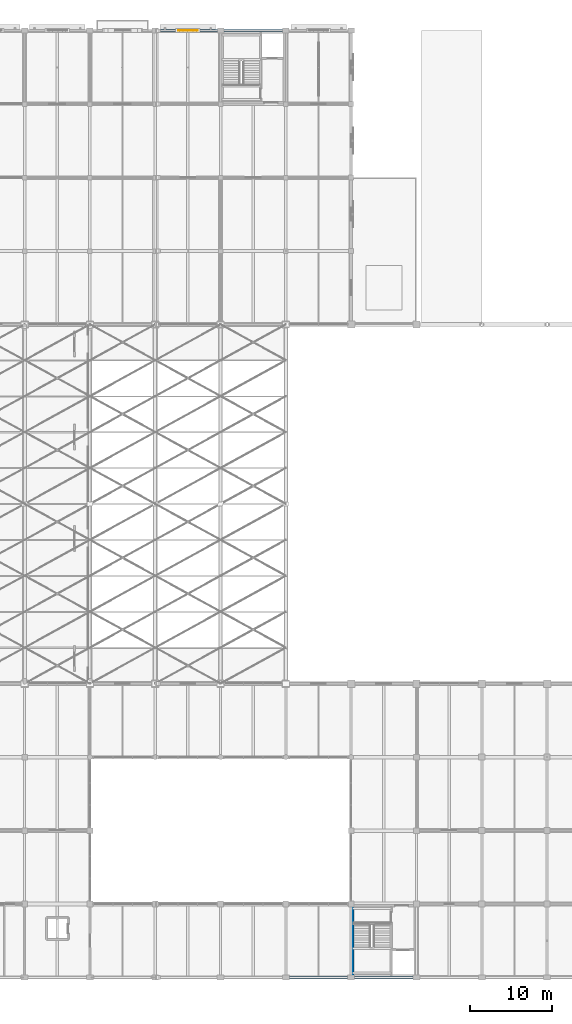
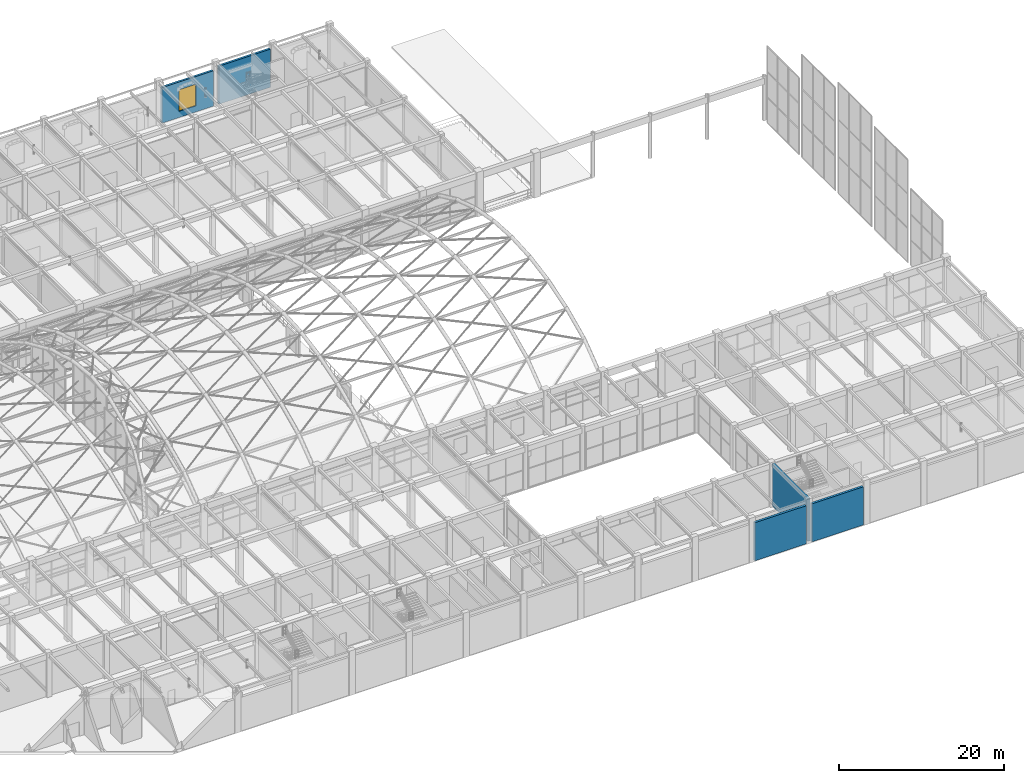
# One storey, part 133 of 163: 5 walls, 1 window, 1 opening.
"""IFC4 building model written with IfcOpenShell, lengths in metres."""

from ifc_helpers import new_model, si_unit, direction, frame, frame_2d, origin, place, context, subcontext, project, spatial, rectangle, extrude, material, layer, layer_set, type_object, element, fill, save


model = new_model("IFC4")

# Units and contexts
model_context = context("Model", 3, precision=1e-05, world=origin(), true_north=direction((0.0, 1.0)))
body_context = subcontext(model_context, "Body", "Model", "MODEL_VIEW")
ifc_project = project(units=[si_unit("LENGTHUNIT", "METRE"), si_unit("AREAUNIT", "SQUARE_METRE"), si_unit("VOLUMEUNIT", "CUBIC_METRE"), si_unit("PLANEANGLEUNIT", "RADIAN"), si_unit("MASSUNIT", "GRAM", prefix="KILO")], contexts=[model_context])

# Site, building, storey
site_placement = place(None, origin())
site = spatial("IfcSite", under=ifc_project, at=site_placement, CompositionType="ELEMENT")
building_placement = place(site_placement, origin())
building = spatial("IfcBuilding", under=site, at=building_placement, Name="Varnabhumi Central Station", CompositionType="ELEMENT")
storey_placement = place(building_placement, frame((0.0, 0.0, 9.60009765625)))
storey = spatial("IfcBuildingStorey", under=building, at=storey_placement, Name="L02", CompositionType="ELEMENT", Elevation=9.60009765625)

# Wall
ifc_material_1 = material(Name="Concrete M40", Category="concrete")
ifc_layer_1 = layer(ifc_material_1, 0.300048828125, Name="Concrete M40", Category="concrete")
ifc_layer_set_1 = layer_set([ifc_layer_1], Name="Concrete M40")
wall_type_1 = type_object("IfcWallType", Name="WAL-CORE-RC-300", PredefinedType="SHEAR", material=ifc_layer_set_1)
wall_1_placement = place(storey_placement, frame((144.179931640625, 0.179931640625, 0.0), z_axis=(0.0, 0.0, 1.0), x_axis=(0.0, 1.0, 0.0)))
element("IfcWall", 1, at=wall_1_placement, inside=storey, type_object=wall_type_1, Name="SC3 L02 West Shear Wall", PredefinedType="SHEAR", context=body_context, shape_type="SweptSolid", body=[
    extrude(rectangle(XDim=8.64013671875, YDim=0.300048828125, at=frame_2d((4.320068359375, 0.0))), origin(), (0.0, 0.0, 1.0), 6.31982421875),
])

# Wall, opening, window
ifc_material_2 = material(Name="Autoclaved aerated blockwork masonry", Category="masonry")
ifc_layer_2 = layer(ifc_material_2, 0.300048828125, Name="Autoclaved aerated blockwork masonry", Category="masonry")
ifc_layer_set_2 = layer_set([ifc_layer_2], Name="Autoclaved aerated blockwork masonry")
wall_type_2 = type_object("IfcWallType", Name="WAL-EXT-STUCCO-300", PredefinedType="SOLIDWALL", material=ifc_layer_set_2)
wall_2_placement = place(storey_placement, frame((120.39990234375, 116.0, 0.0), z_axis=(0.0, 0.0, 1.0), x_axis=(1.0, 0.0, 0.0)))
wall_2 = element("IfcWall", 2, at=wall_2_placement, inside=storey, type_object=wall_type_2, Name="North Boulevard Wall L02-13", PredefinedType="SOLIDWALL", context=body_context, shape_type="SweptSolid", body=[
    extrude(rectangle(XDim=7.2001953125, YDim=0.300048828125, at=frame_2d((3.60009765625, 0.0))), origin(), (0.0, 0.0, 1.0), 5.239990234375),
])
opening_placement = place(wall_2_placement, frame((2.39990234375, 0.0, 0.89990234375)))
opening = element("IfcOpeningElement", 3, at=opening_placement, cuts=wall_2, Name="Opening W-05", PredefinedType="OPENING", context=body_context, shape_type="SweptSolid", body=[
    extrude(rectangle(XDim=2.39990234375, YDim=3.199951171875, at=frame_2d((1.199951171875, 1.60009765625))), frame((0.0, 0.159912109375, 0.0), z_axis=(0.0, -1.0, 0.0), x_axis=(1.0, 0.0, 0.0)), (0.0, 0.0, 1.0), 0.320068359375),
])
ifc_material_3 = material(Name="Laminated low-E double glazing", Category="glass")
window_type = type_object("IfcWindowType", Name="WIN-TALL-2400x3200", PartitioningType="TRIPLE_PANEL_HORIZONTAL", PredefinedType="WINDOW", material=ifc_material_3)
window_placement = place(opening_placement, origin())
window = element("IfcWindow", 4, at=window_placement, inside=storey, type_object=window_type, Name="North Facade Window L02-13", OverallHeight=3.199951171875, OverallWidth=2.39990234375, PartitioningType="SINGLE_PANEL", PredefinedType="WINDOW", context=body_context, shape_type="SweptSolid", body=[
    extrude(rectangle(XDim=2.39990234375, YDim=3.199951171875, at=frame_2d((1.199951171875, 1.60009765625))), frame((0.0, 0.030029296875, 0.0), z_axis=(0.0, -1.0, 0.0), x_axis=(1.0, 0.0, 0.0)), (0.0, 0.0, 1.0), 0.06005859375),
])
fill(opening, window)

# Walls
wall_3_placement = place(storey_placement, frame((128.39990234375, 116.0, 0.0), z_axis=(0.0, 0.0, 1.0), x_axis=(1.0, 0.0, 0.0)))
element("IfcWall", 5, at=wall_3_placement, inside=storey, type_object=wall_type_2, Name="North Boulevard Wall L02-14", PredefinedType="SOLIDWALL", context=body_context, shape_type="SweptSolid", body=[
    extrude(rectangle(XDim=7.2001953125, YDim=0.300048828125, at=frame_2d((3.60009765625, 0.0))), origin(), (0.0, 0.0, 1.0), 5.639892578125),
])
ifc_layer_3 = layer(ifc_material_1, 0.340087890625, Name="Concrete M40", Category="concrete")
ifc_layer_set_3 = layer_set([ifc_layer_3], Name="Concrete M40")
wall_type_3 = type_object("IfcWallType", Name="WAL-SOUTH-FIRE-340", PredefinedType="SOLIDWALL", material=ifc_layer_set_3)
for number, where, z_axis, x_axis, name in (
    (6, (136.39990234375, 0.0, 0.0), (0.0, 0.0, 1.0), (1.0, 0.0, 0.0), "South Infill Boundary Fire Wall L02-14"),
    (7, (144.39990234375, 0.0, 0.0), (0.0, 0.0, 1.0), (1.0, 0.0, 0.0), "South Infill Boundary Fire Wall L02-15"),
):
    element("IfcWall", number, at=place(storey_placement, frame(where, z_axis=z_axis, x_axis=x_axis)), inside=storey, type_object=wall_type_3, Name=name, PredefinedType="SOLIDWALL", context=body_context, shape_type="SweptSolid", body=[
        extrude(rectangle(XDim=7.2001953125, YDim=0.340087890625, at=frame_2d((3.60009765625, 0.0))), origin(), (0.0, 0.0, 1.0), 5.639892578125),
    ])

save(model, "model.ifc")
